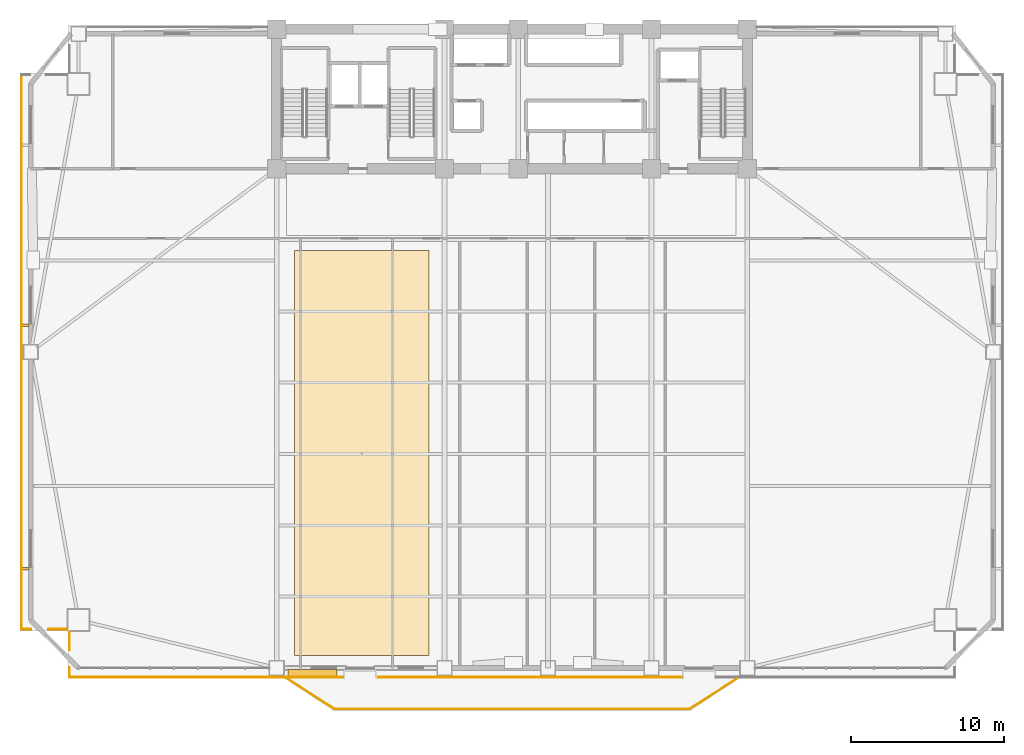
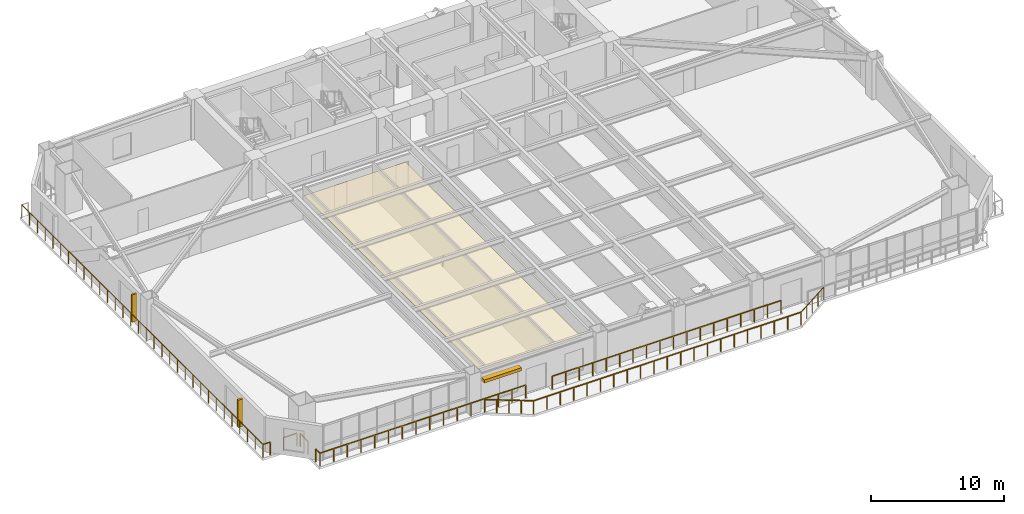
# One storey, part 14 of 18: 10 railings, 3 shading devices, 1 covering.
"""IFC4 building model written with IfcOpenShell, lengths in metres."""

from ifc_helpers import new_model, si_unit, direction, frame, origin, origin_2d, place, context, subcontext, project, spatial, polyline, rectangle, outline, extrude, source, transform, mapped, material, layer, layer_set, type_object, element, save


model = new_model("IFC4")

# Units and contexts
model_context = context("Model", 3, precision=1e-05, world=origin(), true_north=direction((0.0, 1.0)))
body_context = subcontext(model_context, "Body", "Model", "MODEL_VIEW")
ifc_project = project(units=[si_unit("LENGTHUNIT", "METRE"), si_unit("AREAUNIT", "SQUARE_METRE"), si_unit("VOLUMEUNIT", "CUBIC_METRE"), si_unit("PLANEANGLEUNIT", "RADIAN"), si_unit("MASSUNIT", "GRAM", prefix="KILO")], contexts=[model_context])

# Site, building, storey
site_placement = place(None, origin())
site = spatial("IfcSite", under=ifc_project, at=site_placement, CompositionType="ELEMENT")
building_placement = place(site_placement, origin())
building = spatial("IfcBuilding", under=site, at=building_placement, Name="Giltprow Tower", CompositionType="ELEMENT")
storey_placement = place(building_placement, frame((0.0, 0.0, 65.0)))
storey = spatial("IfcBuildingStorey", under=building, at=storey_placement, Name="L16", CompositionType="ELEMENT", Elevation=65.0)

# Covering
ifc_material_1 = material(Name="Acoustic mineral fibre", Category="gypsum")
ifc_layer = layer(ifc_material_1, 0.030029296875, Name="Acoustic mineral fibre")
ifc_layer_set = layer_set([ifc_layer], Name="Acoustic mineral fibre")
covering_type = type_object("IfcCoveringType", Name="COV-CLG-ACOUSTIC", PredefinedType="CEILING", material=ifc_layer_set)
covering_placement = place(storey_placement, frame((0.0, 0.0, 2.719970703125)))
element("IfcCovering", 1, at=covering_placement, inside=storey, type_object=covering_type, Name="L16 Office Acoustic Ceiling", PredefinedType="CEILING", context=body_context, shape_type="SweptSolid", body=[
    extrude(outline(polyline([(21.0, 5.681884765625), (29.800048828125, 5.681884765625), (29.800048828125, 32.10009765625), (21.0, 32.10009765625), (21.0, 5.681884765625)])), origin(), (0.0, 0.0, 1.0), 0.030029296875),
])

# Railings
ifc_material_2 = material(Name="Anodized bronze", Category="metal")
railing_type = type_object("IfcRailingType", Name="RAIL-BALC-GUARD-1200", PredefinedType="BALUSTRADE", material=ifc_material_2)
railing_1_placement = place(storey_placement, frame((20.52001953125, 4.181884765625, 0.0)))
element("IfcRailing", 2, at=railing_1_placement, inside=storey, type_object=railing_type, Name="L16 Waterfront Balcony Balustrade Seg 1", PredefinedType="BALUSTRADE", context=body_context, shape_type="SweptSolid", body=[
    extrude(rectangle(XDim=0.048095703125, YDim=0.048095703125, at=origin_2d()), frame((0.0, 0.0, 1.17578125), z_axis=(0.84277487735, -0.538266203757, 0.0), x_axis=(0.538266203757, 0.84277487735, 0.0)), (0.0, 0.0, 1.0), 3.678466796875),
    extrude(rectangle(XDim=0.0419921875, YDim=0.0419921875, at=origin_2d()), origin(), (0.0, 0.0, 1.0), 1.15185546875),
    extrude(rectangle(XDim=0.0419921875, YDim=0.0419921875, at=origin_2d()), frame((0.77490234375, -0.4951171875, 0.0)), (0.0, 0.0, 1.0), 1.15185546875),
    extrude(rectangle(XDim=0.0419921875, YDim=0.0419921875, at=origin_2d()), frame((1.550048828125, -0.989990234375, 0.0)), (0.0, 0.0, 1.0), 1.15185546875),
    extrude(rectangle(XDim=0.0419921875, YDim=0.0419921875, at=origin_2d()), frame((2.3251953125, -1.48486328125, 0.0)), (0.0, 0.0, 1.0), 1.15185546875),
    extrude(rectangle(XDim=0.0419921875, YDim=0.0419921875, at=origin_2d()), frame((3.10009765625, -1.97998046875, 0.0)), (0.0, 0.0, 1.0), 1.15185546875),
])
railing_2_placement = place(storey_placement, frame((23.6201171875, 2.201904296875, 0.0)))
element("IfcRailing", 3, at=railing_2_placement, inside=storey, type_object=railing_type, Name="L16 Waterfront Balcony Balustrade Seg 2", PredefinedType="BALUSTRADE", context=body_context, shape_type="SweptSolid", body=[
    extrude(rectangle(XDim=0.048095703125, YDim=0.048095703125, at=origin_2d()), frame((0.0, 0.0, 1.17578125), z_axis=(1.0, 0.0, 0.0), x_axis=(0.0, 1.0, 0.0)), (0.0, 0.0, 1.0), 23.159912109375),
    extrude(rectangle(XDim=0.0419921875, YDim=0.0419921875, at=origin_2d()), origin(), (0.0, 0.0, 1.0), 1.15185546875),
    extrude(rectangle(XDim=0.0419921875, YDim=0.0419921875, at=origin_2d()), frame((1.157958984375, 0.0, 0.0)), (0.0, 0.0, 1.0), 1.15185546875),
    extrude(rectangle(XDim=0.0419921875, YDim=0.0419921875, at=origin_2d()), frame((2.31591796875, 0.0, 0.0)), (0.0, 0.0, 1.0), 1.15185546875),
    extrude(rectangle(XDim=0.0419921875, YDim=0.0419921875, at=origin_2d()), frame((3.473876953125, 0.0, 0.0)), (0.0, 0.0, 1.0), 1.15185546875),
    extrude(rectangle(XDim=0.0419921875, YDim=0.0419921875, at=origin_2d()), frame((4.632080078125, 0.0, 0.0)), (0.0, 0.0, 1.0), 1.15185546875),
    extrude(rectangle(XDim=0.0419921875, YDim=0.0419921875, at=origin_2d()), frame((5.7900390625, 0.0, 0.0)), (0.0, 0.0, 1.0), 1.15185546875),
    extrude(rectangle(XDim=0.0419921875, YDim=0.0419921875, at=origin_2d()), frame((6.947998046875, 0.0, 0.0)), (0.0, 0.0, 1.0), 1.15185546875),
    extrude(rectangle(XDim=0.0419921875, YDim=0.0419921875, at=origin_2d()), frame((8.10595703125, 0.0, 0.0)), (0.0, 0.0, 1.0), 1.15185546875),
    extrude(rectangle(XDim=0.0419921875, YDim=0.0419921875, at=origin_2d()), frame((9.263916015625, 0.0, 0.0)), (0.0, 0.0, 1.0), 1.15185546875),
    extrude(rectangle(XDim=0.0419921875, YDim=0.0419921875, at=origin_2d()), frame((10.421875, 0.0, 0.0)), (0.0, 0.0, 1.0), 1.15185546875),
    extrude(rectangle(XDim=0.0419921875, YDim=0.0419921875, at=origin_2d()), frame((11.580078125, 0.0, 0.0)), (0.0, 0.0, 1.0), 1.15185546875),
    extrude(rectangle(XDim=0.0419921875, YDim=0.0419921875, at=origin_2d()), frame((12.738037109375, 0.0, 0.0)), (0.0, 0.0, 1.0), 1.15185546875),
    extrude(rectangle(XDim=0.0419921875, YDim=0.0419921875, at=origin_2d()), frame((13.89599609375, 0.0, 0.0)), (0.0, 0.0, 1.0), 1.15185546875),
    extrude(rectangle(XDim=0.0419921875, YDim=0.0419921875, at=origin_2d()), frame((15.053955078125, 0.0, 0.0)), (0.0, 0.0, 1.0), 1.15185546875),
    extrude(rectangle(XDim=0.0419921875, YDim=0.0419921875, at=origin_2d()), frame((16.2119140625, 0.0, 0.0)), (0.0, 0.0, 1.0), 1.15185546875),
    extrude(rectangle(XDim=0.0419921875, YDim=0.0419921875, at=origin_2d()), frame((17.369873046875, 0.0, 0.0)), (0.0, 0.0, 1.0), 1.15185546875),
    extrude(rectangle(XDim=0.0419921875, YDim=0.0419921875, at=origin_2d()), frame((18.52783203125, 0.0, 0.0)), (0.0, 0.0, 1.0), 1.15185546875),
    extrude(rectangle(XDim=0.0419921875, YDim=0.0419921875, at=origin_2d()), frame((19.68603515625, 0.0, 0.0)), (0.0, 0.0, 1.0), 1.15185546875),
    extrude(rectangle(XDim=0.0419921875, YDim=0.0419921875, at=origin_2d()), frame((20.843994140625, 0.0, 0.0)), (0.0, 0.0, 1.0), 1.15185546875),
    extrude(rectangle(XDim=0.0419921875, YDim=0.0419921875, at=origin_2d()), frame((22.001953125, 0.0, 0.0)), (0.0, 0.0, 1.0), 1.15185546875),
    extrude(rectangle(XDim=0.0419921875, YDim=0.0419921875, at=origin_2d()), frame((23.159912109375, 0.0, 0.0)), (0.0, 0.0, 1.0), 1.15185546875),
])
railing_3_placement = place(storey_placement, frame((46.780029296875, 2.201904296875, 0.0)))
element("IfcRailing", 4, at=railing_3_placement, inside=storey, type_object=railing_type, Name="L16 Waterfront Balcony Balustrade Seg 3", PredefinedType="BALUSTRADE", context=body_context, shape_type="SweptSolid", body=[
    extrude(rectangle(XDim=0.048095703125, YDim=0.048095703125, at=origin_2d()), frame((0.0, 0.0, 1.17578125), z_axis=(0.842755646126, 0.538296313309, 0.0), x_axis=(-0.538296313309, 0.842755646126, 0.0)), (0.0, 0.0, 1.0), 3.67822265625),
    extrude(rectangle(XDim=0.0419921875, YDim=0.0419921875, at=origin_2d()), origin(), (0.0, 0.0, 1.0), 1.15185546875),
    extrude(rectangle(XDim=0.0419921875, YDim=0.0419921875, at=origin_2d()), frame((0.77490234375, 0.4951171875, 0.0)), (0.0, 0.0, 1.0), 1.15185546875),
    extrude(rectangle(XDim=0.0419921875, YDim=0.0419921875, at=origin_2d()), frame((1.5498046875, 0.989990234375, 0.0)), (0.0, 0.0, 1.0), 1.15185546875),
    extrude(rectangle(XDim=0.0419921875, YDim=0.0419921875, at=origin_2d()), frame((2.324951171875, 1.48486328125, 0.0)), (0.0, 0.0, 1.0), 1.15185546875),
    extrude(rectangle(XDim=0.0419921875, YDim=0.0419921875, at=origin_2d()), frame((3.099853515625, 1.97998046875, 0.0)), (0.0, 0.0, 1.0), 1.15185546875),
])
railing_4_placement = place(storey_placement, frame((6.326904296875, 4.281982421875, 0.0)))
element("IfcRailing", 5, at=railing_4_placement, inside=storey, type_object=railing_type, Name="L16 Corner Apron Edge Balustrade 1", PredefinedType="BALUSTRADE", context=body_context, shape_type="SweptSolid", body=[
    extrude(rectangle(XDim=0.048095703125, YDim=0.048095703125, at=origin_2d()), frame((0.0, 0.0, 1.17578125), z_axis=(0.0, 1.0, 0.0), x_axis=(-1.0, 0.0, 0.0)), (0.0, 0.0, 1.0), 0.6201171875),
    extrude(rectangle(XDim=0.0419921875, YDim=0.0419921875, at=origin_2d()), origin(), (0.0, 0.0, 1.0), 1.15185546875),
    extrude(rectangle(XDim=0.0419921875, YDim=0.0419921875, at=origin_2d()), frame((0.0, 0.6201171875, 0.0)), (0.0, 0.0, 1.0), 1.15185546875),
])
railing_5_placement = place(storey_placement, frame((6.326904296875, 6.06201171875, 0.0)))
element("IfcRailing", 6, at=railing_5_placement, inside=storey, type_object=railing_type, Name="L16 Corner Apron Edge Balustrade 2", PredefinedType="BALUSTRADE", context=body_context, shape_type="SweptSolid", body=[
    extrude(rectangle(XDim=0.048095703125, YDim=0.048095703125, at=origin_2d()), frame((0.0, 0.0, 1.17578125), z_axis=(0.0, 1.0, 0.0), x_axis=(-1.0, 0.0, 0.0)), (0.0, 0.0, 1.0), 1.156982421875),
    extrude(rectangle(XDim=0.0419921875, YDim=0.0419921875, at=origin_2d()), origin(), (0.0, 0.0, 1.0), 1.15185546875),
    extrude(rectangle(XDim=0.0419921875, YDim=0.0419921875, at=origin_2d()), frame((0.0, 1.156982421875, 0.0)), (0.0, 0.0, 1.0), 1.15185546875),
])
railing_6_placement = place(storey_placement, frame((6.14208984375, 7.404052734375, 0.0)))
element("IfcRailing", 7, at=railing_6_placement, inside=storey, type_object=railing_type, Name="L16 Corner Apron Edge Balustrade 3", PredefinedType="BALUSTRADE", context=body_context, shape_type="SweptSolid", body=[
    extrude(rectangle(XDim=0.048095703125, YDim=0.048095703125, at=origin_2d()), frame((0.0, 0.0, 1.17578125), z_axis=(-1.0, 0.0, 0.0), x_axis=(0.0, -1.0, 0.0)), (0.0, 0.0, 1.0), 1.156982421875),
    extrude(rectangle(XDim=0.0419921875, YDim=0.0419921875, at=origin_2d()), origin(), (0.0, 0.0, 1.0), 1.15185546875),
    extrude(rectangle(XDim=0.0419921875, YDim=0.0419921875, at=origin_2d()), frame((-1.156982421875, 0.0, 0.0)), (0.0, 0.0, 1.0), 1.15185546875),
])
railing_7_placement = place(storey_placement, frame((3.824951171875, 7.404052734375, 0.0)))
element("IfcRailing", 8, at=railing_7_placement, inside=storey, type_object=railing_type, Name="L16 Corner Apron Edge Balustrade 4", PredefinedType="BALUSTRADE", context=body_context, shape_type="SweptSolid", body=[
    extrude(rectangle(XDim=0.048095703125, YDim=0.048095703125, at=origin_2d()), frame((0.0, 0.0, 1.17578125), z_axis=(-1.0, 0.0, 0.0), x_axis=(0.0, -1.0, 0.0)), (0.0, 0.0, 1.0), 0.619873046875),
    extrude(rectangle(XDim=0.0419921875, YDim=0.0419921875, at=origin_2d()), origin(), (0.0, 0.0, 1.0), 1.15185546875),
    extrude(rectangle(XDim=0.0419921875, YDim=0.0419921875, at=origin_2d()), frame((-0.619873046875, 0.0, 0.0)), (0.0, 0.0, 1.0), 1.15185546875),
])
railing_8_placement = place(storey_placement, frame((3.205078125, 7.404052734375, 0.0)))
element("IfcRailing", 9, at=railing_8_placement, inside=storey, type_object=railing_type, Name="L16 Corner Apron Edge Balustrade 5", PredefinedType="BALUSTRADE", context=body_context, shape_type="SweptSolid", body=[
    extrude(rectangle(XDim=0.048095703125, YDim=0.048095703125, at=origin_2d()), frame((0.0, 0.0, 1.17578125), z_axis=(0.0, 1.0, 0.0), x_axis=(-1.0, 0.0, 0.0)), (0.0, 0.0, 1.0), 36.173828125),
    extrude(rectangle(XDim=0.0419921875, YDim=0.0419921875, at=origin_2d()), origin(), (0.0, 0.0, 1.0), 1.15185546875),
    extrude(rectangle(XDim=0.0419921875, YDim=0.0419921875, at=origin_2d()), frame((0.0, 1.1669921875, 0.0)), (0.0, 0.0, 1.0), 1.15185546875),
    extrude(rectangle(XDim=0.0419921875, YDim=0.0419921875, at=origin_2d()), frame((0.0, 2.333740234375, 0.0)), (0.0, 0.0, 1.0), 1.15185546875),
    extrude(rectangle(XDim=0.0419921875, YDim=0.0419921875, at=origin_2d()), frame((0.0, 3.500732421875, 0.0)), (0.0, 0.0, 1.0), 1.15185546875),
    extrude(rectangle(XDim=0.0419921875, YDim=0.0419921875, at=origin_2d()), frame((0.0, 4.66748046875, 0.0)), (0.0, 0.0, 1.0), 1.15185546875),
    extrude(rectangle(XDim=0.0419921875, YDim=0.0419921875, at=origin_2d()), frame((0.0, 5.83447265625, 0.0)), (0.0, 0.0, 1.0), 1.15185546875),
    extrude(rectangle(XDim=0.0419921875, YDim=0.0419921875, at=origin_2d()), frame((0.0, 7.00146484375, 0.0)), (0.0, 0.0, 1.0), 1.15185546875),
    extrude(rectangle(XDim=0.0419921875, YDim=0.0419921875, at=origin_2d()), frame((0.0, 8.168212890625, 0.0)), (0.0, 0.0, 1.0), 1.15185546875),
    extrude(rectangle(XDim=0.0419921875, YDim=0.0419921875, at=origin_2d()), frame((0.0, 9.335205078125, 0.0)), (0.0, 0.0, 1.0), 1.15185546875),
    extrude(rectangle(XDim=0.0419921875, YDim=0.0419921875, at=origin_2d()), frame((0.0, 10.502197265625, 0.0)), (0.0, 0.0, 1.0), 1.15185546875),
    extrude(rectangle(XDim=0.0419921875, YDim=0.0419921875, at=origin_2d()), frame((0.0, 11.6689453125, 0.0)), (0.0, 0.0, 1.0), 1.15185546875),
    extrude(rectangle(XDim=0.0419921875, YDim=0.0419921875, at=origin_2d()), frame((0.0, 12.8359375, 0.0)), (0.0, 0.0, 1.0), 1.15185546875),
    extrude(rectangle(XDim=0.0419921875, YDim=0.0419921875, at=origin_2d()), frame((0.0, 14.002685546875, 0.0)), (0.0, 0.0, 1.0), 1.15185546875),
    extrude(rectangle(XDim=0.0419921875, YDim=0.0419921875, at=origin_2d()), frame((0.0, 15.169677734375, 0.0)), (0.0, 0.0, 1.0), 1.15185546875),
    extrude(rectangle(XDim=0.0419921875, YDim=0.0419921875, at=origin_2d()), frame((0.0, 16.336669921875, 0.0)), (0.0, 0.0, 1.0), 1.15185546875),
    extrude(rectangle(XDim=0.0419921875, YDim=0.0419921875, at=origin_2d()), frame((0.0, 17.50341796875, 0.0)), (0.0, 0.0, 1.0), 1.15185546875),
    extrude(rectangle(XDim=0.0419921875, YDim=0.0419921875, at=origin_2d()), frame((0.0, 18.67041015625, 0.0)), (0.0, 0.0, 1.0), 1.15185546875),
    extrude(rectangle(XDim=0.0419921875, YDim=0.0419921875, at=origin_2d()), frame((0.0, 19.837158203125, 0.0)), (0.0, 0.0, 1.0), 1.15185546875),
    extrude(rectangle(XDim=0.0419921875, YDim=0.0419921875, at=origin_2d()), frame((0.0, 21.004150390625, 0.0)), (0.0, 0.0, 1.0), 1.15185546875),
    extrude(rectangle(XDim=0.0419921875, YDim=0.0419921875, at=origin_2d()), frame((0.0, 22.171142578125, 0.0)), (0.0, 0.0, 1.0), 1.15185546875),
    extrude(rectangle(XDim=0.0419921875, YDim=0.0419921875, at=origin_2d()), frame((0.0, 23.337890625, 0.0)), (0.0, 0.0, 1.0), 1.15185546875),
    extrude(rectangle(XDim=0.0419921875, YDim=0.0419921875, at=origin_2d()), frame((0.0, 24.5048828125, 0.0)), (0.0, 0.0, 1.0), 1.15185546875),
    extrude(rectangle(XDim=0.0419921875, YDim=0.0419921875, at=origin_2d()), frame((0.0, 25.671630859375, 0.0)), (0.0, 0.0, 1.0), 1.15185546875),
    extrude(rectangle(XDim=0.0419921875, YDim=0.0419921875, at=origin_2d()), frame((0.0, 26.838623046875, 0.0)), (0.0, 0.0, 1.0), 1.15185546875),
    extrude(rectangle(XDim=0.0419921875, YDim=0.0419921875, at=origin_2d()), frame((0.0, 28.005615234375, 0.0)), (0.0, 0.0, 1.0), 1.15185546875),
    extrude(rectangle(XDim=0.0419921875, YDim=0.0419921875, at=origin_2d()), frame((0.0, 29.17236328125, 0.0)), (0.0, 0.0, 1.0), 1.15185546875),
    extrude(rectangle(XDim=0.0419921875, YDim=0.0419921875, at=origin_2d()), frame((0.0, 30.33935546875, 0.0)), (0.0, 0.0, 1.0), 1.15185546875),
    extrude(rectangle(XDim=0.0419921875, YDim=0.0419921875, at=origin_2d()), frame((0.0, 31.50634765625, 0.0)), (0.0, 0.0, 1.0), 1.15185546875),
    extrude(rectangle(XDim=0.0419921875, YDim=0.0419921875, at=origin_2d()), frame((0.0, 32.673095703125, 0.0)), (0.0, 0.0, 1.0), 1.15185546875),
    extrude(rectangle(XDim=0.0419921875, YDim=0.0419921875, at=origin_2d()), frame((0.0, 33.840087890625, 0.0)), (0.0, 0.0, 1.0), 1.15185546875),
    extrude(rectangle(XDim=0.0419921875, YDim=0.0419921875, at=origin_2d()), frame((0.0, 35.0068359375, 0.0)), (0.0, 0.0, 1.0), 1.15185546875),
    extrude(rectangle(XDim=0.0419921875, YDim=0.0419921875, at=origin_2d()), frame((0.0, 36.173828125, 0.0)), (0.0, 0.0, 1.0), 1.15185546875),
])
railing_9_placement = place(storey_placement, frame((46.25, 4.281982421875, 0.0)))
element("IfcRailing", 10, at=railing_9_placement, inside=storey, type_object=railing_type, Name="L16 Corner Apron Edge Balustrade 20", PredefinedType="BALUSTRADE", context=body_context, shape_type="SweptSolid", body=[
    extrude(rectangle(XDim=0.048095703125, YDim=0.048095703125, at=origin_2d()), frame((0.0, 0.0, 1.17578125), z_axis=(-1.0, 0.0, 0.0), x_axis=(0.0, -1.0, 0.0)), (0.0, 0.0, 1.0), 19.800048828125),
    extrude(rectangle(XDim=0.0419921875, YDim=0.0419921875, at=origin_2d()), origin(), (0.0, 0.0, 1.0), 1.15185546875),
    extrude(rectangle(XDim=0.0419921875, YDim=0.0419921875, at=origin_2d()), frame((-1.164794921875, 0.0, 0.0)), (0.0, 0.0, 1.0), 1.15185546875),
    extrude(rectangle(XDim=0.0419921875, YDim=0.0419921875, at=origin_2d()), frame((-2.329345703125, 0.0, 0.0)), (0.0, 0.0, 1.0), 1.15185546875),
    extrude(rectangle(XDim=0.0419921875, YDim=0.0419921875, at=origin_2d()), frame((-3.494140625, 0.0, 0.0)), (0.0, 0.0, 1.0), 1.15185546875),
    extrude(rectangle(XDim=0.0419921875, YDim=0.0419921875, at=origin_2d()), frame((-4.658935546875, 0.0, 0.0)), (0.0, 0.0, 1.0), 1.15185546875),
    extrude(rectangle(XDim=0.0419921875, YDim=0.0419921875, at=origin_2d()), frame((-5.823486328125, 0.0, 0.0)), (0.0, 0.0, 1.0), 1.15185546875),
    extrude(rectangle(XDim=0.0419921875, YDim=0.0419921875, at=origin_2d()), frame((-6.98828125, 0.0, 0.0)), (0.0, 0.0, 1.0), 1.15185546875),
    extrude(rectangle(XDim=0.0419921875, YDim=0.0419921875, at=origin_2d()), frame((-8.153076171875, 0.0, 0.0)), (0.0, 0.0, 1.0), 1.15185546875),
    extrude(rectangle(XDim=0.0419921875, YDim=0.0419921875, at=origin_2d()), frame((-9.317626953125, 0.0, 0.0)), (0.0, 0.0, 1.0), 1.15185546875),
    extrude(rectangle(XDim=0.0419921875, YDim=0.0419921875, at=origin_2d()), frame((-10.482421875, 0.0, 0.0)), (0.0, 0.0, 1.0), 1.15185546875),
    extrude(rectangle(XDim=0.0419921875, YDim=0.0419921875, at=origin_2d()), frame((-11.64697265625, 0.0, 0.0)), (0.0, 0.0, 1.0), 1.15185546875),
    extrude(rectangle(XDim=0.0419921875, YDim=0.0419921875, at=origin_2d()), frame((-12.811767578125, 0.0, 0.0)), (0.0, 0.0, 1.0), 1.15185546875),
    extrude(rectangle(XDim=0.0419921875, YDim=0.0419921875, at=origin_2d()), frame((-13.9765625, 0.0, 0.0)), (0.0, 0.0, 1.0), 1.15185546875),
    extrude(rectangle(XDim=0.0419921875, YDim=0.0419921875, at=origin_2d()), frame((-15.14111328125, 0.0, 0.0)), (0.0, 0.0, 1.0), 1.15185546875),
    extrude(rectangle(XDim=0.0419921875, YDim=0.0419921875, at=origin_2d()), frame((-16.305908203125, 0.0, 0.0)), (0.0, 0.0, 1.0), 1.15185546875),
    extrude(rectangle(XDim=0.0419921875, YDim=0.0419921875, at=origin_2d()), frame((-17.470703125, 0.0, 0.0)), (0.0, 0.0, 1.0), 1.15185546875),
    extrude(rectangle(XDim=0.0419921875, YDim=0.0419921875, at=origin_2d()), frame((-18.63525390625, 0.0, 0.0)), (0.0, 0.0, 1.0), 1.15185546875),
    extrude(rectangle(XDim=0.0419921875, YDim=0.0419921875, at=origin_2d()), frame((-19.800048828125, 0.0, 0.0)), (0.0, 0.0, 1.0), 1.15185546875),
])
railing_10_placement = place(storey_placement, frame((24.14990234375, 4.281982421875, 0.0)))
element("IfcRailing", 11, at=railing_10_placement, inside=storey, type_object=railing_type, Name="L16 Corner Apron Edge Balustrade 21", PredefinedType="BALUSTRADE", context=body_context, shape_type="SweptSolid", body=[
    extrude(rectangle(XDim=0.048095703125, YDim=0.048095703125, at=origin_2d()), frame((0.0, 0.0, 1.17578125), z_axis=(-1.0, 0.0, 0.0), x_axis=(0.0, -1.0, 0.0)), (0.0, 0.0, 1.0), 17.822998046875),
    extrude(rectangle(XDim=0.0419921875, YDim=0.0419921875, at=origin_2d()), origin(), (0.0, 0.0, 1.0), 1.15185546875),
    extrude(rectangle(XDim=0.0419921875, YDim=0.0419921875, at=origin_2d()), frame((-1.188232421875, 0.0, 0.0)), (0.0, 0.0, 1.0), 1.15185546875),
    extrude(rectangle(XDim=0.0419921875, YDim=0.0419921875, at=origin_2d()), frame((-2.37646484375, 0.0, 0.0)), (0.0, 0.0, 1.0), 1.15185546875),
    extrude(rectangle(XDim=0.0419921875, YDim=0.0419921875, at=origin_2d()), frame((-3.564697265625, 0.0, 0.0)), (0.0, 0.0, 1.0), 1.15185546875),
    extrude(rectangle(XDim=0.0419921875, YDim=0.0419921875, at=origin_2d()), frame((-4.752685546875, 0.0, 0.0)), (0.0, 0.0, 1.0), 1.15185546875),
    extrude(rectangle(XDim=0.0419921875, YDim=0.0419921875, at=origin_2d()), frame((-5.94091796875, 0.0, 0.0)), (0.0, 0.0, 1.0), 1.15185546875),
    extrude(rectangle(XDim=0.0419921875, YDim=0.0419921875, at=origin_2d()), frame((-7.129150390625, 0.0, 0.0)), (0.0, 0.0, 1.0), 1.15185546875),
    extrude(rectangle(XDim=0.0419921875, YDim=0.0419921875, at=origin_2d()), frame((-8.3173828125, 0.0, 0.0)), (0.0, 0.0, 1.0), 1.15185546875),
    extrude(rectangle(XDim=0.0419921875, YDim=0.0419921875, at=origin_2d()), frame((-9.505615234375, 0.0, 0.0)), (0.0, 0.0, 1.0), 1.15185546875),
    extrude(rectangle(XDim=0.0419921875, YDim=0.0419921875, at=origin_2d()), frame((-10.69384765625, 0.0, 0.0)), (0.0, 0.0, 1.0), 1.15185546875),
    extrude(rectangle(XDim=0.0419921875, YDim=0.0419921875, at=origin_2d()), frame((-11.882080078125, 0.0, 0.0)), (0.0, 0.0, 1.0), 1.15185546875),
    extrude(rectangle(XDim=0.0419921875, YDim=0.0419921875, at=origin_2d()), frame((-13.0703125, 0.0, 0.0)), (0.0, 0.0, 1.0), 1.15185546875),
    extrude(rectangle(XDim=0.0419921875, YDim=0.0419921875, at=origin_2d()), frame((-14.25830078125, 0.0, 0.0)), (0.0, 0.0, 1.0), 1.15185546875),
    extrude(rectangle(XDim=0.0419921875, YDim=0.0419921875, at=origin_2d()), frame((-15.446533203125, 0.0, 0.0)), (0.0, 0.0, 1.0), 1.15185546875),
    extrude(rectangle(XDim=0.0419921875, YDim=0.0419921875, at=origin_2d()), frame((-16.634765625, 0.0, 0.0)), (0.0, 0.0, 1.0), 1.15185546875),
    extrude(rectangle(XDim=0.0419921875, YDim=0.0419921875, at=origin_2d()), frame((-17.822998046875, 0.0, 0.0)), (0.0, 0.0, 1.0), 1.15185546875),
])

# Shading devices
shading_device_type_1 = type_object("IfcShadingDeviceType", Name="SHD-FIN-420", PredefinedType="USERDEFINED", material=ifc_material_2)
shared_shape_1 = source(origin(), body_context, "Body", "SweptSolid", [
    extrude(rectangle(XDim=0.419921875, YDim=0.159912109375, at=origin_2d()), origin(), (0.0, 0.0, 1.0), 2.5),
])
for number, where, z_axis, x_axis, name in (
    (12, (3.485107421875, 11.341064453125, 0.35009765625), (0.0, 0.0, 1.0), (1.0, 0.0, 0.0), "L16 W Bronze Vertical Fin 1-1"),
    (13, (3.485107421875, 27.22412109375, 0.35009765625), (0.0, 0.0, 1.0), (1.0, 0.0, 0.0), "L16 W Bronze Vertical Fin 2-1"),
):
    element("IfcShadingDevice", number, at=place(storey_placement, frame(where, z_axis=z_axis, x_axis=x_axis)), inside=storey, type_object=shading_device_type_1, Name=name, ObjectType="FIN", PredefinedType="USERDEFINED", context=body_context, shape_type="MappedRepresentation", body=[
        mapped(shared_shape_1, transform((0.0, 0.0, 0.0), x_axis=(1.0, 0.0, 0.0), y_axis=(0.0, 1.0, 0.0), z_axis=(0.0, 0.0, 1.0), scale=1.0)),
    ])
shading_device_type_2 = type_object("IfcShadingDeviceType", Name="SHD-LOUVRE-320", PredefinedType="JALOUSIE", material=ifc_material_2)
shared_shape_2 = source(origin(), body_context, "Body", "SweptSolid", [
    extrude(rectangle(XDim=3.199951171875, YDim=0.449951171875, at=origin_2d()), origin(), (0.0, 0.0, 1.0), 0.280029296875),
])
shading_device_placement = place(storey_placement, frame((22.199951171875, 4.56201171875, 2.56005859375), z_axis=(0.0, 0.0, 1.0), x_axis=(1.0, 0.0, 0.0)))
element("IfcShadingDevice", 14, at=shading_device_placement, inside=storey, type_object=shading_device_type_2, Name="L16 Bronze Sunshade Louvre S-2", PredefinedType="JALOUSIE", context=body_context, shape_type="MappedRepresentation", body=[
    mapped(shared_shape_2, transform((0.0, 0.0, 0.0), x_axis=(1.0, 0.0, 0.0), y_axis=(0.0, 1.0, 0.0), z_axis=(0.0, 0.0, 1.0), scale=1.0)),
])

save(model, "model.ifc")
